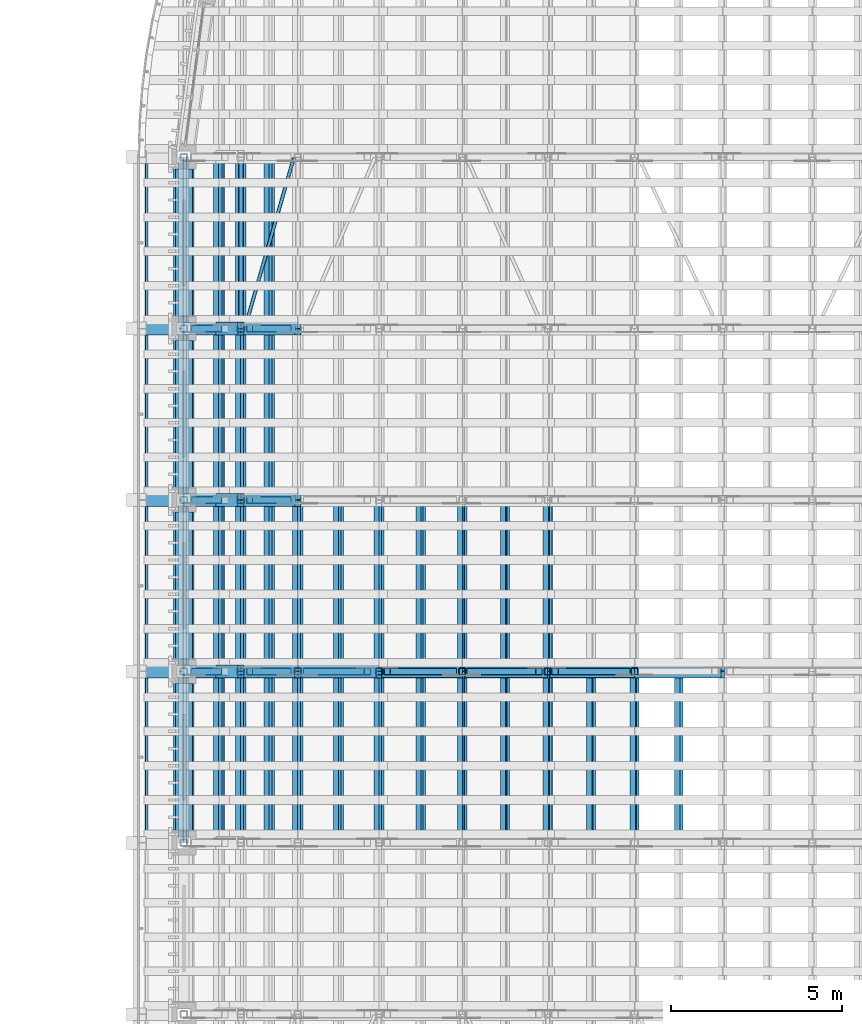
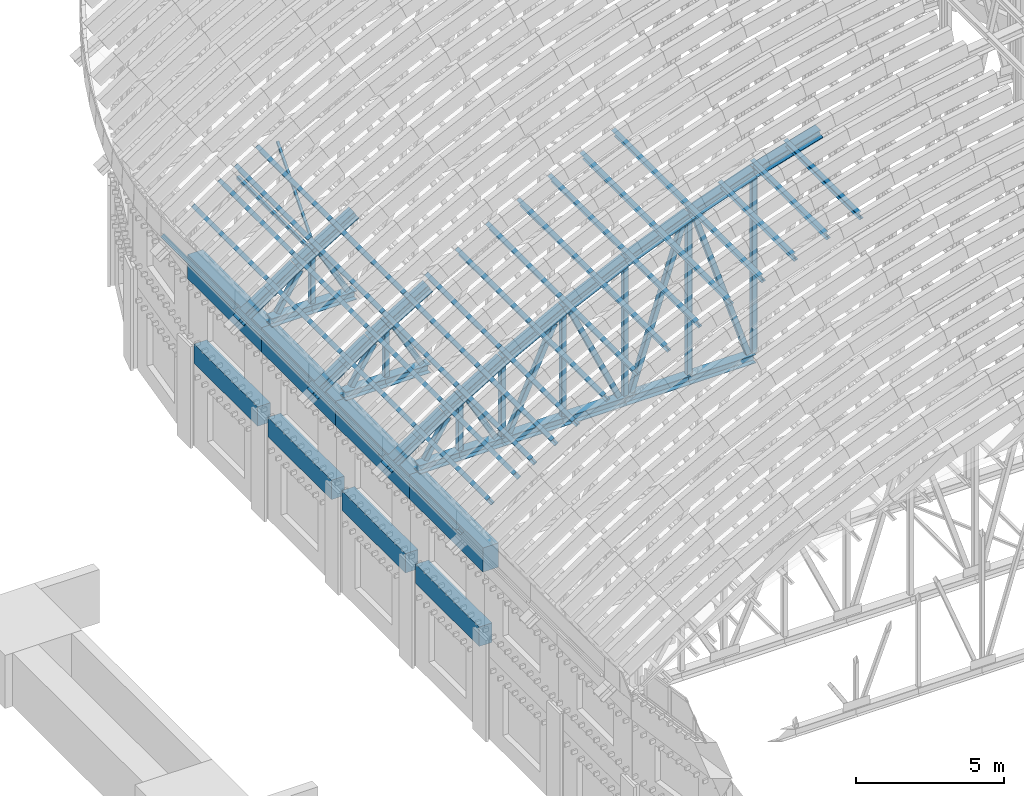
# One storey, part 17 of 105: 84 members, 8 beams.
"""IFC4 building model written with IfcOpenShell, lengths in metres."""

from ifc_helpers import new_model, si_unit, direction, frame, origin, origin_2d, place, context, subcontext, project, spatial, rectangle, hollow_rectangle, i_section, extrude, material, material_profile, profile_set, type_object, element, save


model = new_model("IFC4")

# Units and contexts
model_context = context("Model", 3, precision=1e-05, world=origin(), true_north=direction((0.0, 1.0)))
body_context = subcontext(model_context, "Body", "Model", "MODEL_VIEW")
ifc_project = project(units=[si_unit("LENGTHUNIT", "METRE"), si_unit("AREAUNIT", "SQUARE_METRE"), si_unit("VOLUMEUNIT", "CUBIC_METRE"), si_unit("PLANEANGLEUNIT", "RADIAN"), si_unit("MASSUNIT", "GRAM", prefix="KILO")], contexts=[model_context])

# Site, building, storey
site_placement = place(None, origin())
site = spatial("IfcSite", under=ifc_project, at=site_placement, CompositionType="ELEMENT")
building_placement = place(site_placement, origin())
building = spatial("IfcBuilding", under=site, at=building_placement, Name="Wasatch Bagh Community Centre", CompositionType="ELEMENT")
storey_placement = place(building_placement, frame((0.0, 0.0, 16.800048828125)))
storey = spatial("IfcBuildingStorey", under=building, at=storey_placement, Name="L04", CompositionType="ELEMENT", Elevation=16.800048828125)

# Members
ifc_material_1 = material(Name="ASTM A500 Grade C steel", Category="steel")
ifc_material_profile_1 = material_profile(ifc_material_1, hollow_rectangle(XDim=0.1015625, YDim=0.1015625, WallThickness=0.005859375, InnerFilletRadius=0.005859375, OuterFilletRadius=0.01171875, at=origin_2d()), Name="HSS4x4x1/4")
ifc_profile_set_1 = profile_set([ifc_material_profile_1], Name="ASTM A500 Grade C steel")
member_type_1 = type_object("IfcMemberType", Name="HSS4x4x1/4 brace", PredefinedType="BRACE", material=ifc_profile_set_1)
member_1_placement = place(storey_placement, frame((19.0341796875, 60.02734375, 10.2763671875), z_axis=(0.27212936692, 0.948099837692, 0.164475850595), x_axis=(-0.961190180835, 0.27588663662, 0.0)))
element("IfcMember", 1, at=member_1_placement, inside=storey, type_object=member_type_1, Name="MH.TA6-TA7.RT.DG02", PredefinedType="BRACE", context=body_context, shape_type="SweptSolid", body=[
    extrude(hollow_rectangle(XDim=0.1015625, YDim=0.1015625, WallThickness=0.005859375, InnerFilletRadius=0.005859375, OuterFilletRadius=0.01171875, at=origin_2d()), origin(), (0.0, 0.0, 1.0), 5.216064453125),
])
ifc_material_profile_2 = material_profile(ifc_material_1, hollow_rectangle(XDim=0.126953125, YDim=0.126953125, WallThickness=0.00732421875, InnerFilletRadius=0.00732421875, OuterFilletRadius=0.0146484375, at=origin_2d()), Name="HSS5x5x5/16")
ifc_profile_set_2 = profile_set([ifc_material_profile_2], Name="ASTM A500 Grade C steel")
member_type_2 = type_object("IfcMemberType", Name="HSS5x5x5/16 strut", PredefinedType="STRUT", material=ifc_profile_set_2)
member_2_placement = place(storey_placement, frame((18.91259765625, 60.00537109375, 10.202880859375), z_axis=(0.0, 1.0, 0.0), x_axis=(-1.0, 0.0, 0.0)))
element("IfcMember", 2, at=member_2_placement, inside=storey, type_object=member_type_2, Name="MH.TA6-TA7.RT.ST02W", PredefinedType="STRUT", context=body_context, shape_type="SweptSolid", body=[
    extrude(hollow_rectangle(XDim=0.126953125, YDim=0.126953125, WallThickness=0.00732421875, InnerFilletRadius=0.00732421875, OuterFilletRadius=0.0146484375, at=origin_2d()), origin(), (0.0, 0.0, 1.0), 4.9892578125),
])
ifc_material_profile_3 = material_profile(ifc_material_1, hollow_rectangle(XDim=0.203125, YDim=0.203125, WallThickness=0.01171875, InnerFilletRadius=0.01171875, OuterFilletRadius=0.023681640625, at=origin_2d()), Name="HSS8x8x1/2")
ifc_profile_set_3 = profile_set([ifc_material_profile_3], Name="ASTM A500 Grade C steel")
member_type_3 = type_object("IfcMemberType", Name="HSS8x8x1/2 post", PredefinedType="POST", material=ifc_profile_set_3)
member_3_placement = place(storey_placement, frame((18.91259765625, 50.0, 8.070556640625), z_axis=(0.0, 0.0, 1.0), x_axis=(1.0, 0.0, 0.0)))
element("IfcMember", 3, at=member_3_placement, inside=storey, type_object=member_type_3, Name="MH.TA4.PS02", PredefinedType="POST", context=body_context, shape_type="SweptSolid", body=[
    extrude(hollow_rectangle(XDim=0.203125, YDim=0.203125, WallThickness=0.01171875, InnerFilletRadius=0.01171875, OuterFilletRadius=0.023681640625, at=origin_2d()), origin(), (0.0, 0.0, 1.0), 1.8544921875),
])
member_4_placement = place(storey_placement, frame((20.5751953125, 50.0, 8.070556640625), z_axis=(0.0, 0.0, 1.0), x_axis=(1.0, 0.0, 0.0)))
element("IfcMember", 4, at=member_4_placement, inside=storey, type_object=member_type_3, Name="MH.TA4.PS03", PredefinedType="POST", context=body_context, shape_type="SweptSolid", body=[
    extrude(hollow_rectangle(XDim=0.203125, YDim=0.203125, WallThickness=0.01171875, InnerFilletRadius=0.01171875, OuterFilletRadius=0.023681640625, at=origin_2d()), origin(), (0.0, 0.0, 1.0), 2.860107421875),
])
member_5_placement = place(storey_placement, frame((22.943359375, 50.0, 8.070556640625), z_axis=(0.0, 0.0, 1.0), x_axis=(1.0, 0.0, 0.0)))
element("IfcMember", 5, at=member_5_placement, inside=storey, type_object=member_type_3, Name="MH.TA4.PS04", PredefinedType="POST", context=body_context, shape_type="SweptSolid", body=[
    extrude(hollow_rectangle(XDim=0.203125, YDim=0.203125, WallThickness=0.01171875, InnerFilletRadius=0.01171875, OuterFilletRadius=0.023681640625, at=origin_2d()), origin(), (0.0, 0.0, 1.0), 4.143798828125),
])
member_6_placement = place(storey_placement, frame((25.373779296875, 50.0, 8.070556640625), z_axis=(0.0, 0.0, 1.0), x_axis=(1.0, 0.0, 0.0)))
element("IfcMember", 6, at=member_6_placement, inside=storey, type_object=member_type_3, Name="MH.TA4.PS05", PredefinedType="POST", context=body_context, shape_type="SweptSolid", body=[
    extrude(hollow_rectangle(XDim=0.203125, YDim=0.203125, WallThickness=0.01171875, InnerFilletRadius=0.01171875, OuterFilletRadius=0.023681640625, at=origin_2d()), origin(), (0.0, 0.0, 1.0), 5.3017578125),
])
member_7_placement = place(storey_placement, frame((27.85986328125, 50.0, 8.070556640625), z_axis=(0.0, 0.0, 1.0), x_axis=(1.0, 0.0, 0.0)))
element("IfcMember", 7, at=member_7_placement, inside=storey, type_object=member_type_3, Name="MH.TA4.PS06", PredefinedType="POST", context=body_context, shape_type="SweptSolid", body=[
    extrude(hollow_rectangle(XDim=0.203125, YDim=0.203125, WallThickness=0.01171875, InnerFilletRadius=0.01171875, OuterFilletRadius=0.023681640625, at=origin_2d()), origin(), (0.0, 0.0, 1.0), 6.3310546875),
])
member_8_placement = place(storey_placement, frame((30.39501953125, 50.0, 8.070556640625), z_axis=(0.0, 0.0, 1.0), x_axis=(1.0, 0.0, 0.0)))
element("IfcMember", 8, at=member_8_placement, inside=storey, type_object=member_type_3, Name="MH.TA4.PS07", PredefinedType="POST", context=body_context, shape_type="SweptSolid", body=[
    extrude(hollow_rectangle(XDim=0.203125, YDim=0.203125, WallThickness=0.01171875, InnerFilletRadius=0.01171875, OuterFilletRadius=0.023681640625, at=origin_2d()), origin(), (0.0, 0.0, 1.0), 7.228759765625),
])
for number, where, z_axis, x_axis, name in (
    (9, (18.91259765625, 55.0, 8.070556640625), (0.0, 0.0, 1.0), (1.0, 0.0, 0.0), "MH.TA5.PS02"),
    (10, (18.91259765625, 60.0, 8.070556640625), (0.0, 0.0, 1.0), (1.0, 0.0, 0.0), "MH.TA6.PS02"),
):
    element("IfcMember", number, at=place(storey_placement, frame(where, z_axis=z_axis, x_axis=x_axis)), inside=storey, type_object=member_type_3, Name=name, PredefinedType="POST", context=body_context, shape_type="SweptSolid", body=[
        extrude(hollow_rectangle(XDim=0.203125, YDim=0.203125, WallThickness=0.01171875, InnerFilletRadius=0.01171875, OuterFilletRadius=0.023681640625, at=origin_2d()), origin(), (0.0, 0.0, 1.0), 1.8544921875),
    ])
ifc_material_profile_4 = material_profile(ifc_material_1, hollow_rectangle(XDim=0.203125, YDim=0.203125, WallThickness=0.0087890625, InnerFilletRadius=0.0087890625, OuterFilletRadius=0.017822265625, at=origin_2d()), Name="HSS8x8x3/8")
ifc_profile_set_4 = profile_set([ifc_material_profile_4], Name="ASTM A500 Grade C steel")
member_type_4 = type_object("IfcMemberType", Name="HSS8x8x3/8 brace", PredefinedType="BRACE", material=ifc_profile_set_4)
member_9_placement = place(storey_placement, frame((17.5537109375, 50.0, 8.12353515625), z_axis=(0.516603928155, 0.0, 0.856224492417), x_axis=(0.0, 1.0, 0.0)))
element("IfcMember", 11, at=member_9_placement, inside=storey, type_object=member_type_4, Name="MH.TA4.WB01", PredefinedType="BRACE", context=body_context, shape_type="SweptSolid", body=[
    extrude(hollow_rectangle(XDim=0.203125, YDim=0.203125, WallThickness=0.0087890625, InnerFilletRadius=0.0087890625, OuterFilletRadius=0.017822265625, at=origin_2d()), origin(), (0.0, 0.0, 1.0), 1.71875),
])
member_10_placement = place(storey_placement, frame((20.28466796875, 50.0, 8.120361328125), z_axis=(-0.48431154024, 0.0, 0.874895612054), x_axis=(0.0, -1.0, 0.0)))
element("IfcMember", 12, at=member_10_placement, inside=storey, type_object=member_type_4, Name="MH.TA4.WB02", PredefinedType="BRACE", context=body_context, shape_type="SweptSolid", body=[
    extrude(hollow_rectangle(XDim=0.203125, YDim=0.203125, WallThickness=0.0087890625, InnerFilletRadius=0.0087890625, OuterFilletRadius=0.017822265625, at=origin_2d()), origin(), (0.0, 0.0, 1.0), 2.30517578125),
])
member_11_placement = place(storey_placement, frame((20.834716796875, 50.0, 8.11328125), z_axis=(0.41454038017, 0.0, 0.91003091882), x_axis=(0.0, 1.0, 0.0)))
element("IfcMember", 13, at=member_11_placement, inside=storey, type_object=member_type_4, Name="MH.TA4.WB03", PredefinedType="BRACE", context=body_context, shape_type="SweptSolid", body=[
    extrude(hollow_rectangle(XDim=0.203125, YDim=0.203125, WallThickness=0.0087890625, InnerFilletRadius=0.0087890625, OuterFilletRadius=0.017822265625, at=origin_2d()), origin(), (0.0, 0.0, 1.0), 4.2646484375),
])
member_12_placement = place(storey_placement, frame((25.114501953125, 50.0, 8.113037109375), z_axis=(-0.412645327125, 0.0, 0.910891779523), x_axis=(0.0, -1.0, 0.0)))
element("IfcMember", 14, at=member_12_placement, inside=storey, type_object=member_type_4, Name="MH.TA4.WB04", PredefinedType="BRACE", context=body_context, shape_type="SweptSolid", body=[
    extrude(hollow_rectangle(XDim=0.203125, YDim=0.203125, WallThickness=0.0087890625, InnerFilletRadius=0.0087890625, OuterFilletRadius=0.017822265625, at=origin_2d()), origin(), (0.0, 0.0, 1.0), 4.688720703125),
])
member_13_placement = place(storey_placement, frame((25.59814453125, 50.0, 8.1025390625), z_axis=(0.309201900554, 0.0, 0.950996416762), x_axis=(0.0, 1.0, 0.0)))
element("IfcMember", 15, at=member_13_placement, inside=storey, type_object=member_type_4, Name="MH.TA4.WB05", PredefinedType="BRACE", context=body_context, shape_type="SweptSolid", body=[
    extrude(hollow_rectangle(XDim=0.203125, YDim=0.203125, WallThickness=0.0087890625, InnerFilletRadius=0.0087890625, OuterFilletRadius=0.017822265625, at=origin_2d()), origin(), (0.0, 0.0, 1.0), 6.481689453125),
])
member_14_placement = place(storey_placement, frame((30.170166015625, 50.0, 8.1025390625), z_axis=(-0.31047180951, 0.0, 0.950582587417), x_axis=(0.0, -1.0, 0.0)))
element("IfcMember", 16, at=member_14_placement, inside=storey, type_object=member_type_4, Name="MH.TA4.WB06", PredefinedType="BRACE", context=body_context, shape_type="SweptSolid", body=[
    extrude(hollow_rectangle(XDim=0.203125, YDim=0.203125, WallThickness=0.0087890625, InnerFilletRadius=0.0087890625, OuterFilletRadius=0.017822265625, at=origin_2d()), origin(), (0.0, 0.0, 1.0), 6.750732421875),
])
member_15_placement = place(storey_placement, frame((17.5537109375, 55.0, 8.12353515625), z_axis=(0.516603928155, 0.0, 0.856224492417), x_axis=(0.0, 1.0, 0.0)))
element("IfcMember", 17, at=member_15_placement, inside=storey, type_object=member_type_4, Name="MH.TA5.WB01", PredefinedType="BRACE", context=body_context, shape_type="SweptSolid", body=[
    extrude(hollow_rectangle(XDim=0.203125, YDim=0.203125, WallThickness=0.0087890625, InnerFilletRadius=0.0087890625, OuterFilletRadius=0.017822265625, at=origin_2d()), origin(), (0.0, 0.0, 1.0), 1.71875),
])
member_16_placement = place(storey_placement, frame((20.28466796875, 55.0, 8.120361328125), z_axis=(-0.48431154024, 0.0, 0.874895612054), x_axis=(0.0, -1.0, 0.0)))
element("IfcMember", 18, at=member_16_placement, inside=storey, type_object=member_type_4, Name="MH.TA5.WB02", PredefinedType="BRACE", context=body_context, shape_type="SweptSolid", body=[
    extrude(hollow_rectangle(XDim=0.203125, YDim=0.203125, WallThickness=0.0087890625, InnerFilletRadius=0.0087890625, OuterFilletRadius=0.017822265625, at=origin_2d()), origin(), (0.0, 0.0, 1.0), 2.30517578125),
])
member_17_placement = place(storey_placement, frame((17.5537109375, 60.0, 8.12353515625), z_axis=(0.516603928155, 0.0, 0.856224492417), x_axis=(0.0, 1.0, 0.0)))
element("IfcMember", 19, at=member_17_placement, inside=storey, type_object=member_type_4, Name="MH.TA6.WB01", PredefinedType="BRACE", context=body_context, shape_type="SweptSolid", body=[
    extrude(hollow_rectangle(XDim=0.203125, YDim=0.203125, WallThickness=0.0087890625, InnerFilletRadius=0.0087890625, OuterFilletRadius=0.017822265625, at=origin_2d()), origin(), (0.0, 0.0, 1.0), 1.71875),
])
member_18_placement = place(storey_placement, frame((20.28466796875, 60.0, 8.120361328125), z_axis=(-0.48431154024, 0.0, 0.874895612054), x_axis=(0.0, -1.0, 0.0)))
element("IfcMember", 20, at=member_18_placement, inside=storey, type_object=member_type_4, Name="MH.TA6.WB02", PredefinedType="BRACE", context=body_context, shape_type="SweptSolid", body=[
    extrude(hollow_rectangle(XDim=0.203125, YDim=0.203125, WallThickness=0.0087890625, InnerFilletRadius=0.0087890625, OuterFilletRadius=0.017822265625, at=origin_2d()), origin(), (0.0, 0.0, 1.0), 2.30517578125),
])

# Beams
ifc_material_2 = material(Name="Concrete C35", Category="concrete")
ifc_material_profile_5 = material_profile(ifc_material_2, rectangle(XDim=0.5, YDim=0.800048828125, at=origin_2d()), Name="RC 500x800")
ifc_profile_set_5 = profile_set([ifc_material_profile_5], Name="Concrete C35")
beam_type_1 = type_object("IfcBeamType", Name="MH ring beam RC 500x800", PredefinedType="BEAM", material=ifc_profile_set_5)
for number, where, z_axis, x_axis, name in (
    (21, (17.25, 64.6494140625, 3.800048828125), (0.0, -1.0, 0.0), (1.0, 0.0, 0.0), "Ring beam 21.0 W7-W6"),
    (22, (17.25, 59.6494140625, 3.800048828125), (0.0, -1.0, 0.0), (1.0, 0.0, 0.0), "Ring beam 21.0 W6-W5"),
    (23, (17.25, 54.6494140625, 3.800048828125), (0.0, -1.0, 0.0), (1.0, 0.0, 0.0), "Ring beam 21.0 W5-W4"),
    (24, (17.25, 49.6494140625, 3.800048828125), (0.0, -1.0, 0.0), (1.0, 0.0, 0.0), "Ring beam 21.0 W4-W3"),
):
    element("IfcBeam", number, at=place(storey_placement, frame(where, z_axis=z_axis, x_axis=x_axis)), inside=storey, type_object=beam_type_1, Name=name, PredefinedType="BEAM", context=body_context, shape_type="SweptSolid", body=[
        extrude(rectangle(XDim=0.5, YDim=0.800048828125, at=origin_2d()), origin(), (0.0, 0.0, 1.0), 4.298828125),
    ])
ifc_material_profile_6 = material_profile(ifc_material_2, rectangle(XDim=0.60009765625, YDim=1.0, at=origin_2d()), Name="RC 600x1000")
ifc_profile_set_6 = profile_set([ifc_material_profile_6], Name="Concrete C35")
beam_type_2 = type_object("IfcBeamType", Name="MH ring beam RC 600x1000", PredefinedType="BEAM", material=ifc_profile_set_6)
for number, where, z_axis, x_axis, name in (
    (25, (17.25, 65.0, 7.199951171875), (0.0, -1.0, 0.0), (1.0, 0.0, 0.0), "Ring beam 24.5 W7-W6"),
    (26, (17.25, 60.0, 7.199951171875), (0.0, -1.0, 0.0), (1.0, 0.0, 0.0), "Ring beam 24.5 W6-W5"),
    (27, (17.25, 55.0, 7.199951171875), (0.0, -1.0, 0.0), (1.0, 0.0, 0.0), "Ring beam 24.5 W5-W4"),
    (28, (17.25, 50.0, 7.199951171875), (0.0, -1.0, 0.0), (1.0, 0.0, 0.0), "Ring beam 24.5 W4-W3"),
):
    element("IfcBeam", number, at=place(storey_placement, frame(where, z_axis=z_axis, x_axis=x_axis)), inside=storey, type_object=beam_type_2, Name=name, PredefinedType="BEAM", context=body_context, shape_type="SweptSolid", body=[
        extrude(rectangle(XDim=0.60009765625, YDim=1.0, at=origin_2d()), origin(), (0.0, 0.0, 1.0), 5.0),
    ])

# Members
ifc_material_3 = material(Name="ASTM A992 Grade 50 steel", Category="steel")
ifc_material_profile_7 = material_profile(ifc_material_3, i_section(OverallWidth=0.164794921875, OverallDepth=0.309814453125, WebThickness=0.005859375, FlangeThickness=0.009765625, at=origin_2d()), Name="W12x26")
ifc_profile_set_7 = profile_set([ifc_material_profile_7], Name="ASTM A992 Grade 50 steel")
member_type_5 = type_object("IfcMemberType", Name="W12x26 purlin", PredefinedType="PURLIN", material=ifc_profile_set_7)
for number, where, z_axis, x_axis, name in (
    (29, (16.050048828125, 45.0, 8.718505859375), (0.0, 1.0, 0.0), (-0.828790536479, 0.0, -0.559558975125), "MH.TA3-TA4.PU01"),
    (30, (17.25, 45.0, 9.528564453125), (0.0, 1.0, 0.0), (-0.828790536479, 0.0, -0.559558975125), "MH.TA3-TA4.PU02"),
    (31, (18.275146484375, 45.0, 10.220947265625), (0.0, 1.0, 0.0), (-0.828790536479, 0.0, -0.559558975125), "MH.TA3-TA4.PU03"),
    (32, (18.91259765625, 45.0, 10.5986328125), (0.0, 1.0, 0.0), (-0.856568201678, 0.0, -0.516033832102), "MH.TA3-TA4.PU04"),
    (33, (19.743896484375, 45.0, 11.099609375), (0.0, 1.0, 0.0), (-0.856568214693, 0.0, -0.516033810499), "MH.TA3-TA4.PU05"),
    (34, (20.5751953125, 45.0, 11.600341796875), (0.0, 1.0, 0.0), (-0.856568214693, 0.0, -0.516033810499), "MH.TA3-TA4.PU06"),
    (35, (21.75927734375, 45.0, 12.2275390625), (0.0, 1.0, 0.0), (-0.882062247877, 0.0, -0.471132880269), "MH.TA3-TA4.PU07"),
    (36, (22.943359375, 45.0, 12.860107421875), (0.0, 1.0, 0.0), (-0.882062247877, 0.0, -0.471132880269), "MH.TA3-TA4.PU08"),
    (37, (24.15869140625, 45.0, 13.426025390625), (0.0, 1.0, 0.0), (-0.905204669284, 0.0, -0.424975889559), "MH.TA3-TA4.PU09"),
    (38, (25.373779296875, 45.0, 13.99658203125), (0.0, 1.0, 0.0), (-0.905204669284, 0.0, -0.424975889559), "MH.TA3-TA4.PU10"),
    (39, (26.616943359375, 45.0, 14.499755859375), (0.0, 1.0, 0.0), (-0.925933779633, 0.0, -0.377685895599), "MH.TA3-TA4.PU11"),
    (40, (27.85986328125, 45.0, 15.0068359375), (0.0, 1.0, 0.0), (-0.925933779633, 0.0, -0.377685895599), "MH.TA3-TA4.PU12"),
    (41, (29.12744140625, 45.0, 15.44580078125), (0.0, 1.0, 0.0), (-0.944194315577, 0.0, -0.329388971326), "MH.TA3-TA4.PU13"),
    (42, (30.39501953125, 45.0, 15.887939453125), (0.0, 1.0, 0.0), (-0.944194315577, 0.0, -0.329388971326), "MH.TA3-TA4.PU14"),
    (43, (31.683837890625, 45.0, 16.261474609375), (0.0, 1.0, 0.0), (-0.959937587317, 0.0, -0.280213897686), "MH.TA3-TA4.PU15"),
    (44, (16.050048828125, 50.0, 8.718505859375), (0.0, 1.0, 0.0), (-0.828790536479, 0.0, -0.559558975125), "MH.TA4-TA5.PU01"),
    (45, (17.25, 50.0, 9.528564453125), (0.0, 1.0, 0.0), (-0.828790536479, 0.0, -0.559558975125), "MH.TA4-TA5.PU02"),
    (46, (18.275146484375, 50.0, 10.220947265625), (0.0, 1.0, 0.0), (-0.828790536479, 0.0, -0.559558975125), "MH.TA4-TA5.PU03"),
    (47, (18.91259765625, 50.0, 10.5986328125), (0.0, 1.0, 0.0), (-0.856568201678, 0.0, -0.516033832102), "MH.TA4-TA5.PU04"),
    (48, (19.743896484375, 50.0, 11.099609375), (0.0, 1.0, 0.0), (-0.856568214693, 0.0, -0.516033810499), "MH.TA4-TA5.PU05"),
    (49, (20.5751953125, 50.0, 11.600341796875), (0.0, 1.0, 0.0), (-0.856568214693, 0.0, -0.516033810499), "MH.TA4-TA5.PU06"),
    (50, (21.75927734375, 50.0, 12.2275390625), (0.0, 1.0, 0.0), (-0.882062247877, 0.0, -0.471132880269), "MH.TA4-TA5.PU07"),
    (51, (22.943359375, 50.0, 12.860107421875), (0.0, 1.0, 0.0), (-0.882062247877, 0.0, -0.471132880269), "MH.TA4-TA5.PU08"),
    (52, (24.15869140625, 50.0, 13.426025390625), (0.0, 1.0, 0.0), (-0.905204669284, 0.0, -0.424975889559), "MH.TA4-TA5.PU09"),
    (53, (25.373779296875, 50.0, 13.99658203125), (0.0, 1.0, 0.0), (-0.905204669284, 0.0, -0.424975889559), "MH.TA4-TA5.PU10"),
    (54, (26.616943359375, 50.0, 14.499755859375), (0.0, 1.0, 0.0), (-0.925933779633, 0.0, -0.377685895599), "MH.TA4-TA5.PU11"),
    (55, (27.85986328125, 50.0, 15.0068359375), (0.0, 1.0, 0.0), (-0.925933779633, 0.0, -0.377685895599), "MH.TA4-TA5.PU12"),
    (56, (16.050048828125, 55.0, 8.718505859375), (0.0, 1.0, 0.0), (-0.828790536479, 0.0, -0.559558975125), "MH.TA5-TA6.PU01"),
    (57, (17.25, 55.0, 9.528564453125), (0.0, 1.0, 0.0), (-0.828790536479, 0.0, -0.559558975125), "MH.TA5-TA6.PU02"),
    (58, (18.275146484375, 55.0, 10.220947265625), (0.0, 1.0, 0.0), (-0.828790536479, 0.0, -0.559558975125), "MH.TA5-TA6.PU03"),
    (59, (18.91259765625, 55.0, 10.5986328125), (0.0, 1.0, 0.0), (-0.856568201678, 0.0, -0.516033832102), "MH.TA5-TA6.PU04"),
    (60, (19.743896484375, 55.0, 11.099609375), (0.0, 1.0, 0.0), (-0.856568214693, 0.0, -0.516033810499), "MH.TA5-TA6.PU05"),
    (61, (16.050048828125, 60.0, 8.718505859375), (0.0, 1.0, 0.0), (-0.828790536479, 0.0, -0.559558975125), "MH.TA6-TA7.PU01"),
    (62, (17.25, 60.0, 9.528564453125), (0.0, 1.0, 0.0), (-0.828790536479, 0.0, -0.559558975125), "MH.TA6-TA7.PU02"),
    (63, (18.275146484375, 60.0, 10.220947265625), (0.0, 1.0, 0.0), (-0.828790536479, 0.0, -0.559558975125), "MH.TA6-TA7.PU03"),
    (64, (18.91259765625, 60.0, 10.5986328125), (0.0, 1.0, 0.0), (-0.856568201678, 0.0, -0.516033832102), "MH.TA6-TA7.PU04"),
    (65, (19.743896484375, 60.0, 11.099609375), (0.0, 1.0, 0.0), (-0.856568214693, 0.0, -0.516033810499), "MH.TA6-TA7.PU05"),
):
    element("IfcMember", number, at=place(storey_placement, frame(where, z_axis=z_axis, x_axis=x_axis)), inside=storey, type_object=member_type_5, Name=name, PredefinedType="PURLIN", context=body_context, shape_type="SweptSolid", body=[
        extrude(i_section(OverallWidth=0.164794921875, OverallDepth=0.309814453125, WebThickness=0.005859375, FlangeThickness=0.009765625, at=origin_2d()), origin(), (0.0, 0.0, 1.0), 5.0),
    ])
ifc_material_profile_8 = material_profile(ifc_material_3, i_section(OverallWidth=0.373291015625, OverallDepth=0.368408203125, WebThickness=0.014892578125, FlangeThickness=0.02392578125, at=origin_2d()), Name="W14x120")
ifc_profile_set_8 = profile_set([ifc_material_profile_8], Name="ASTM A992 Grade 50 steel")
member_type_6 = type_object("IfcMemberType", Name="W14x120 chord", PredefinedType="CHORD", material=ifc_profile_set_8)
member_19_placement = place(storey_placement, frame((16.050048828125, 50.0, 8.309326171875), z_axis=(0.828791955718, 0.0, 0.559556873014), x_axis=(0.0, 1.0, 0.0)))
element("IfcMember", 66, at=member_19_placement, inside=storey, type_object=member_type_6, Name="MH.TA4.TC01", PredefinedType="CHORD", context=body_context, shape_type="SweptSolid", body=[
    extrude(i_section(OverallWidth=0.373291015625, OverallDepth=0.368408203125, WebThickness=0.014892578125, FlangeThickness=0.02392578125, at=origin_2d()), origin(), (0.0, 0.0, 1.0), 1.447265625),
])
member_20_placement = place(storey_placement, frame((17.25048828125, 50.0, 9.119873046875), z_axis=(0.827423215104, 0.0, 0.561578866328), x_axis=(0.0, 1.0, 0.0)))
element("IfcMember", 67, at=member_20_placement, inside=storey, type_object=member_type_6, Name="MH.TA4.TC02", PredefinedType="CHORD", context=body_context, shape_type="SweptSolid", body=[
    extrude(i_section(OverallWidth=0.373291015625, OverallDepth=0.368408203125, WebThickness=0.014892578125, FlangeThickness=0.02392578125, at=origin_2d()), origin(), (0.0, 0.0, 1.0), 1.2333984375),
])
member_21_placement = place(storey_placement, frame((18.279541015625, 50.0, 9.818115234375), z_axis=(0.854567882738, 0.0, 0.519339709432), x_axis=(0.0, 1.0, 0.0)))
element("IfcMember", 68, at=member_21_placement, inside=storey, type_object=member_type_6, Name="MH.TA4.TC03", PredefinedType="CHORD", context=body_context, shape_type="SweptSolid", body=[
    extrude(i_section(OverallWidth=0.373291015625, OverallDepth=0.368408203125, WebThickness=0.014892578125, FlangeThickness=0.02392578125, at=origin_2d()), origin(), (0.0, 0.0, 1.0), 0.739990234375),
])
member_22_placement = place(storey_placement, frame((18.9130859375, 50.0, 10.203125), z_axis=(0.855786494441, 0.0, 0.517329175605), x_axis=(0.0, 1.0, 0.0)))
element("IfcMember", 69, at=member_22_placement, inside=storey, type_object=member_type_6, Name="MH.TA4.TC04", PredefinedType="CHORD", context=body_context, shape_type="SweptSolid", body=[
    extrude(i_section(OverallWidth=0.373291015625, OverallDepth=0.368408203125, WebThickness=0.014892578125, FlangeThickness=0.02392578125, at=origin_2d()), origin(), (0.0, 0.0, 1.0), 1.936767578125),
])
member_23_placement = place(storey_placement, frame((20.57958984375, 50.0, 11.210205078125), z_axis=(0.881199185378, 0.0, 0.472745169927), x_axis=(0.0, 1.0, 0.0)))
element("IfcMember", 70, at=member_23_placement, inside=storey, type_object=member_type_6, Name="MH.TA4.TC05", PredefinedType="CHORD", context=body_context, shape_type="SweptSolid", body=[
    extrude(i_section(OverallWidth=0.373291015625, OverallDepth=0.368408203125, WebThickness=0.014892578125, FlangeThickness=0.02392578125, at=origin_2d()), origin(), (0.0, 0.0, 1.0), 2.67724609375),
])
member_24_placement = place(storey_placement, frame((22.9482421875, 50.0, 12.480712890625), z_axis=(0.90451458508, 0.0, 0.426442687096), x_axis=(0.0, 1.0, 0.0)))
element("IfcMember", 71, at=member_24_placement, inside=storey, type_object=member_type_6, Name="MH.TA4.TC06", PredefinedType="CHORD", context=body_context, shape_type="SweptSolid", body=[
    extrude(i_section(OverallWidth=0.373291015625, OverallDepth=0.368408203125, WebThickness=0.014892578125, FlangeThickness=0.02392578125, at=origin_2d()), origin(), (0.0, 0.0, 1.0), 2.676513671875),
])
member_25_placement = place(storey_placement, frame((25.378662109375, 50.0, 13.62646484375), z_axis=(0.925400102713, 0.0, 0.378991622466), x_axis=(0.0, 1.0, 0.0)))
element("IfcMember", 72, at=member_25_placement, inside=storey, type_object=member_type_6, Name="MH.TA4.TC07", PredefinedType="CHORD", context=body_context, shape_type="SweptSolid", body=[
    extrude(i_section(OverallWidth=0.373291015625, OverallDepth=0.368408203125, WebThickness=0.014892578125, FlangeThickness=0.02392578125, at=origin_2d()), origin(), (0.0, 0.0, 1.0), 2.676025390625),
])
member_26_placement = place(storey_placement, frame((27.864990234375, 50.0, 14.644287109375), z_axis=(0.943774394327, 0.0, 0.330590218568), x_axis=(0.0, 1.0, 0.0)))
element("IfcMember", 73, at=member_26_placement, inside=storey, type_object=member_type_6, Name="MH.TA4.TC08", PredefinedType="CHORD", context=body_context, shape_type="SweptSolid", body=[
    extrude(i_section(OverallWidth=0.373291015625, OverallDepth=0.368408203125, WebThickness=0.014892578125, FlangeThickness=0.02392578125, at=origin_2d()), origin(), (0.0, 0.0, 1.0), 2.675537109375),
])
member_27_placement = place(storey_placement, frame((30.400146484375, 50.0, 15.531982421875), z_axis=(0.959628119174, 0.0, 0.281271884288), x_axis=(0.0, 1.0, 0.0)))
element("IfcMember", 74, at=member_27_placement, inside=storey, type_object=member_type_6, Name="MH.TA4.TC09", PredefinedType="CHORD", context=body_context, shape_type="SweptSolid", body=[
    extrude(i_section(OverallWidth=0.373291015625, OverallDepth=0.368408203125, WebThickness=0.014892578125, FlangeThickness=0.02392578125, at=origin_2d()), origin(), (0.0, 0.0, 1.0), 2.675048828125),
])
member_28_placement = place(storey_placement, frame((16.050048828125, 55.0, 8.309326171875), z_axis=(0.828791955718, 0.0, 0.559556873014), x_axis=(0.0, 1.0, 0.0)))
element("IfcMember", 75, at=member_28_placement, inside=storey, type_object=member_type_6, Name="MH.TA5.TC01", PredefinedType="CHORD", context=body_context, shape_type="SweptSolid", body=[
    extrude(i_section(OverallWidth=0.373291015625, OverallDepth=0.368408203125, WebThickness=0.014892578125, FlangeThickness=0.02392578125, at=origin_2d()), origin(), (0.0, 0.0, 1.0), 1.447265625),
])
member_29_placement = place(storey_placement, frame((17.25048828125, 55.0, 9.119873046875), z_axis=(0.827423215104, 0.0, 0.561578866328), x_axis=(0.0, 1.0, 0.0)))
element("IfcMember", 76, at=member_29_placement, inside=storey, type_object=member_type_6, Name="MH.TA5.TC02", PredefinedType="CHORD", context=body_context, shape_type="SweptSolid", body=[
    extrude(i_section(OverallWidth=0.373291015625, OverallDepth=0.368408203125, WebThickness=0.014892578125, FlangeThickness=0.02392578125, at=origin_2d()), origin(), (0.0, 0.0, 1.0), 1.2333984375),
])
member_30_placement = place(storey_placement, frame((18.279541015625, 55.0, 9.818115234375), z_axis=(0.854567882738, 0.0, 0.519339709432), x_axis=(0.0, 1.0, 0.0)))
element("IfcMember", 77, at=member_30_placement, inside=storey, type_object=member_type_6, Name="MH.TA5.TC03", PredefinedType="CHORD", context=body_context, shape_type="SweptSolid", body=[
    extrude(i_section(OverallWidth=0.373291015625, OverallDepth=0.368408203125, WebThickness=0.014892578125, FlangeThickness=0.02392578125, at=origin_2d()), origin(), (0.0, 0.0, 1.0), 0.739990234375),
])
member_31_placement = place(storey_placement, frame((18.9130859375, 55.0, 10.203125), z_axis=(0.855786494441, 0.0, 0.517329175605), x_axis=(0.0, 1.0, 0.0)))
element("IfcMember", 78, at=member_31_placement, inside=storey, type_object=member_type_6, Name="MH.TA5.TC04", PredefinedType="CHORD", context=body_context, shape_type="SweptSolid", body=[
    extrude(i_section(OverallWidth=0.373291015625, OverallDepth=0.368408203125, WebThickness=0.014892578125, FlangeThickness=0.02392578125, at=origin_2d()), origin(), (0.0, 0.0, 1.0), 1.936767578125),
])
member_32_placement = place(storey_placement, frame((16.050048828125, 60.0, 8.309326171875), z_axis=(0.828791955718, 0.0, 0.559556873014), x_axis=(0.0, 1.0, 0.0)))
element("IfcMember", 79, at=member_32_placement, inside=storey, type_object=member_type_6, Name="MH.TA6.TC01", PredefinedType="CHORD", context=body_context, shape_type="SweptSolid", body=[
    extrude(i_section(OverallWidth=0.373291015625, OverallDepth=0.368408203125, WebThickness=0.014892578125, FlangeThickness=0.02392578125, at=origin_2d()), origin(), (0.0, 0.0, 1.0), 1.447265625),
])
member_33_placement = place(storey_placement, frame((17.25048828125, 60.0, 9.119873046875), z_axis=(0.827423215104, 0.0, 0.561578866328), x_axis=(0.0, 1.0, 0.0)))
element("IfcMember", 80, at=member_33_placement, inside=storey, type_object=member_type_6, Name="MH.TA6.TC02", PredefinedType="CHORD", context=body_context, shape_type="SweptSolid", body=[
    extrude(i_section(OverallWidth=0.373291015625, OverallDepth=0.368408203125, WebThickness=0.014892578125, FlangeThickness=0.02392578125, at=origin_2d()), origin(), (0.0, 0.0, 1.0), 1.2333984375),
])
member_34_placement = place(storey_placement, frame((18.279541015625, 60.0, 9.818115234375), z_axis=(0.854567882738, 0.0, 0.519339709432), x_axis=(0.0, 1.0, 0.0)))
element("IfcMember", 81, at=member_34_placement, inside=storey, type_object=member_type_6, Name="MH.TA6.TC03", PredefinedType="CHORD", context=body_context, shape_type="SweptSolid", body=[
    extrude(i_section(OverallWidth=0.373291015625, OverallDepth=0.368408203125, WebThickness=0.014892578125, FlangeThickness=0.02392578125, at=origin_2d()), origin(), (0.0, 0.0, 1.0), 0.739990234375),
])
member_35_placement = place(storey_placement, frame((18.9130859375, 60.0, 10.203125), z_axis=(0.855786494441, 0.0, 0.517329175605), x_axis=(0.0, 1.0, 0.0)))
element("IfcMember", 82, at=member_35_placement, inside=storey, type_object=member_type_6, Name="MH.TA6.TC04", PredefinedType="CHORD", context=body_context, shape_type="SweptSolid", body=[
    extrude(i_section(OverallWidth=0.373291015625, OverallDepth=0.368408203125, WebThickness=0.014892578125, FlangeThickness=0.02392578125, at=origin_2d()), origin(), (0.0, 0.0, 1.0), 1.936767578125),
])
ifc_material_profile_9 = material_profile(ifc_material_3, i_section(OverallWidth=0.368408203125, OverallDepth=0.355712890625, WebThickness=0.01123046875, FlangeThickness=0.01806640625, at=origin_2d()), Name="W14x90")
ifc_profile_set_9 = profile_set([ifc_material_profile_9], Name="ASTM A992 Grade 50 steel")
member_type_7 = type_object("IfcMemberType", Name="W14x90 chord", PredefinedType="CHORD", material=ifc_profile_set_9)
for number, where, z_axis, x_axis, name in (
    (83, (17.25, 50.0, 7.892822265625), (1.0, 0.0, 0.0), (0.0, 1.0, 0.0), "MH.TA4.BC01"),
    (84, (18.91259765625, 50.0, 7.892822265625), (1.0, 0.0, 0.0), (0.0, 1.0, 0.0), "MH.TA4.BC02"),
):
    element("IfcMember", number, at=place(storey_placement, frame(where, z_axis=z_axis, x_axis=x_axis)), inside=storey, type_object=member_type_7, Name=name, PredefinedType="CHORD", context=body_context, shape_type="SweptSolid", body=[
        extrude(i_section(OverallWidth=0.368408203125, OverallDepth=0.355712890625, WebThickness=0.01123046875, FlangeThickness=0.01806640625, at=origin_2d()), origin(), (0.0, 0.0, 1.0), 1.66259765625),
    ])
member_36_placement = place(storey_placement, frame((20.5751953125, 50.0, 7.892822265625), z_axis=(1.0, 0.0, 0.0), x_axis=(0.0, 1.0, 0.0)))
element("IfcMember", 85, at=member_36_placement, inside=storey, type_object=member_type_7, Name="MH.TA4.BC03", PredefinedType="CHORD", context=body_context, shape_type="SweptSolid", body=[
    extrude(i_section(OverallWidth=0.368408203125, OverallDepth=0.355712890625, WebThickness=0.01123046875, FlangeThickness=0.01806640625, at=origin_2d()), origin(), (0.0, 0.0, 1.0), 2.3681640625),
])
member_37_placement = place(storey_placement, frame((22.943359375, 50.0, 7.892822265625), z_axis=(1.0, 0.0, 0.0), x_axis=(0.0, 1.0, 0.0)))
element("IfcMember", 86, at=member_37_placement, inside=storey, type_object=member_type_7, Name="MH.TA4.BC04", PredefinedType="CHORD", context=body_context, shape_type="SweptSolid", body=[
    extrude(i_section(OverallWidth=0.368408203125, OverallDepth=0.355712890625, WebThickness=0.01123046875, FlangeThickness=0.01806640625, at=origin_2d()), origin(), (0.0, 0.0, 1.0), 2.430419921875),
])
member_38_placement = place(storey_placement, frame((25.373779296875, 50.0, 7.892822265625), z_axis=(1.0, 0.0, 0.0), x_axis=(0.0, 1.0, 0.0)))
element("IfcMember", 87, at=member_38_placement, inside=storey, type_object=member_type_7, Name="MH.TA4.BC05", PredefinedType="CHORD", context=body_context, shape_type="SweptSolid", body=[
    extrude(i_section(OverallWidth=0.368408203125, OverallDepth=0.355712890625, WebThickness=0.01123046875, FlangeThickness=0.01806640625, at=origin_2d()), origin(), (0.0, 0.0, 1.0), 2.486083984375),
])
member_39_placement = place(storey_placement, frame((27.85986328125, 50.0, 7.892822265625), z_axis=(1.0, 0.0, 0.0), x_axis=(0.0, 1.0, 0.0)))
element("IfcMember", 88, at=member_39_placement, inside=storey, type_object=member_type_7, Name="MH.TA4.BC06", PredefinedType="CHORD", context=body_context, shape_type="SweptSolid", body=[
    extrude(i_section(OverallWidth=0.368408203125, OverallDepth=0.355712890625, WebThickness=0.01123046875, FlangeThickness=0.01806640625, at=origin_2d()), origin(), (0.0, 0.0, 1.0), 2.53515625),
])
for number, where, z_axis, x_axis, name in (
    (89, (17.25, 55.0, 7.892822265625), (1.0, 0.0, 0.0), (0.0, 1.0, 0.0), "MH.TA5.BC01"),
    (90, (18.91259765625, 55.0, 7.892822265625), (1.0, 0.0, 0.0), (0.0, 1.0, 0.0), "MH.TA5.BC02"),
    (91, (17.25, 60.0, 7.892822265625), (1.0, 0.0, 0.0), (0.0, 1.0, 0.0), "MH.TA6.BC01"),
    (92, (18.91259765625, 60.0, 7.892822265625), (1.0, 0.0, 0.0), (0.0, 1.0, 0.0), "MH.TA6.BC02"),
):
    element("IfcMember", number, at=place(storey_placement, frame(where, z_axis=z_axis, x_axis=x_axis)), inside=storey, type_object=member_type_7, Name=name, PredefinedType="CHORD", context=body_context, shape_type="SweptSolid", body=[
        extrude(i_section(OverallWidth=0.368408203125, OverallDepth=0.355712890625, WebThickness=0.01123046875, FlangeThickness=0.01806640625, at=origin_2d()), origin(), (0.0, 0.0, 1.0), 1.66259765625),
    ])

save(model, "model.ifc")
